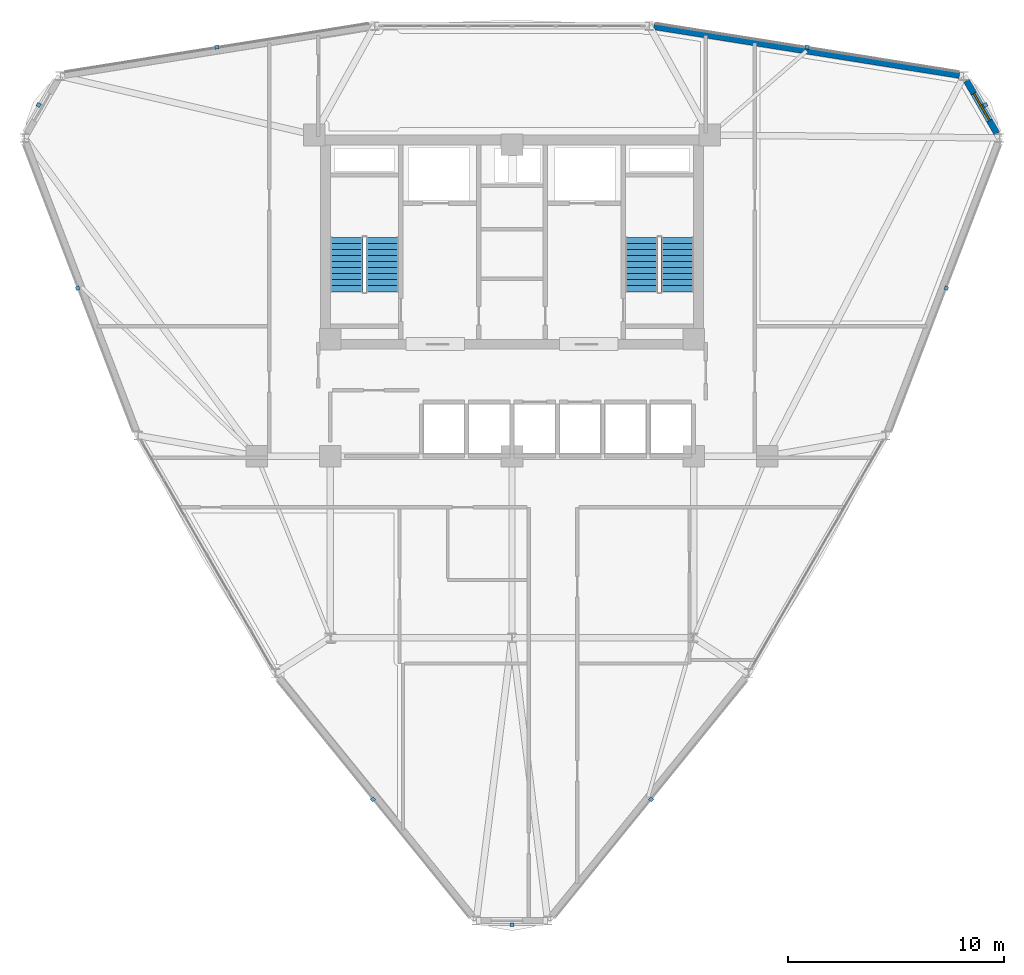
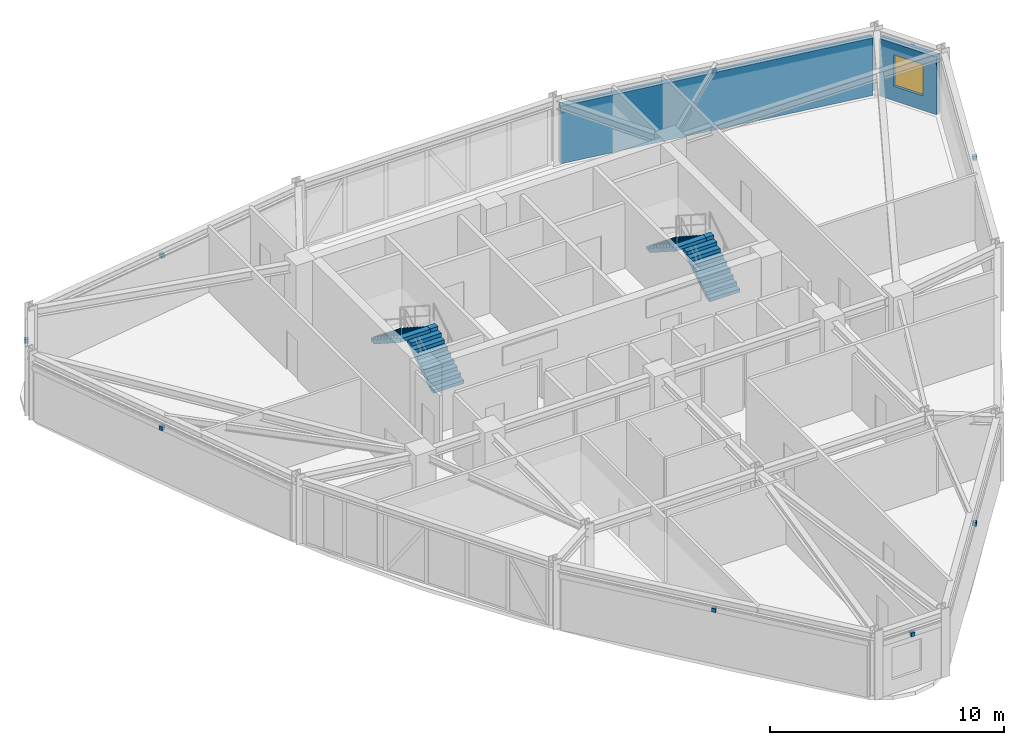
# One storey, part 12 of 14: 9 discrete accessories, 4 stair flights, 2 walls, 1 window, 1 opening, 2 elements without a shape of their own.
"""IFC4 building model written with IfcOpenShell, lengths in metres."""

from ifc_helpers import new_model, si_unit, derived_unit, direction, frame, frame_2d, origin, origin_2d, place, context, subcontext, project, spatial, polyline, rectangle, outline, extrude, source, transform, mapped, material, layer, layer_set, type_object, element, fill, aggregate, save


model = new_model("IFC4")

# Units and contexts
model_context = context("Model", 3, precision=1e-05, world=origin(), true_north=direction((0.0, 1.0)))
body_context = subcontext(model_context, "Body", "Model", "MODEL_VIEW")
ifc_project = project(units=[si_unit("LENGTHUNIT", "METRE"), si_unit("AREAUNIT", "SQUARE_METRE"), si_unit("VOLUMEUNIT", "CUBIC_METRE"), si_unit("PLANEANGLEUNIT", "RADIAN"), si_unit("MASSUNIT", "GRAM", prefix="KILO"), derived_unit("THERMALTRANSMITTANCEUNIT", [(si_unit("POWERUNIT", "WATT"), 1), (si_unit("LENGTHUNIT", "METRE"), -2), (si_unit("THERMODYNAMICTEMPERATUREUNIT", "KELVIN"), -1)])], contexts=[model_context])

# Site, building, storey
site_placement = place(None, origin())
site = spatial("IfcSite", under=ifc_project, at=site_placement, CompositionType="ELEMENT")
building_placement = place(site_placement, origin())
building = spatial("IfcBuilding", under=site, at=building_placement, Name="Korsvarv Bourse and Concert Hall", CompositionType="ELEMENT")
storey_placement = place(building_placement, frame((0.0, 0.0, 172.199951171875)))
storey = spatial("IfcBuildingStorey", under=building, at=storey_placement, Name="L44", CompositionType="ELEMENT", Elevation=172.199951171875)

# Wall, opening, window
ifc_material_1 = material(Name="Precast concrete C45/55 with terracotta rainscreen", Category="concrete")
ifc_layer_1 = layer(ifc_material_1, 0.300048828125)
ifc_layer_set_1 = layer_set([ifc_layer_1], Name="Precast concrete C45/55 with terracotta rainscreen")
wall_type_1 = type_object("IfcWallType", Name="WL-EXT-TC1", PredefinedType="SOLIDWALL", material=ifc_layer_set_1)
wall_1_placement = place(storey_placement, frame((58.430908203125, 47.327392578125, 0.0), z_axis=(0.0, 0.0, 1.0), x_axis=(-0.499978056798, 0.866038072327, 0.0)))
wall_1 = element("IfcWall", 1, at=wall_1_placement, inside=storey, type_object=wall_type_1, Name="L44 terracotta exterior wall EW-L44-B01", PredefinedType="SOLIDWALL", context=body_context, shape_type="SweptSolid", body=[
    extrude(rectangle(XDim=2.811279296875, YDim=0.300048828125, at=frame_2d((1.40576171875, 0.0))), origin(), (0.0, 0.0, 1.0), 3.010009765625),
])
opening_placement = place(wall_1_placement, frame((0.6806640625, 0.0, 0.75)))
opening = element("IfcOpeningElement", 2, at=opening_placement, cuts=wall_1, Name="Opening W-02", PredefinedType="OPENING", context=body_context, shape_type="SweptSolid", body=[
    extrude(rectangle(XDim=1.449951171875, YDim=1.64990234375, at=frame_2d((0.72509765625, 0.824951171875))), frame((0.0, 0.16015625, 0.0), z_axis=(0.0, -1.0, 0.0), x_axis=(1.0, 0.0, 0.0)), (0.0, 0.0, 1.0), 0.320068359375),
])
ifc_material_2 = material(Name="Thermally broken aluminium frame with triple low-E glass", Category="glass")
window_type = type_object("IfcWindowType", Name="WIN-TW2", PartitioningType="SINGLE_PANEL", PredefinedType="WINDOW", material=ifc_material_2)
window_placement = place(opening_placement, origin())
window = element("IfcWindow", 3, at=window_placement, inside=storey, type_object=window_type, Name="L44 punched facade window W-02", OverallHeight=1.64990234375, OverallWidth=1.449951171875, PartitioningType="SINGLE_PANEL", PredefinedType="WINDOW", context=body_context, shape_type="SweptSolid", body=[
    extrude(rectangle(XDim=1.449951171875, YDim=1.64990234375, at=frame_2d((0.72509765625, 0.824951171875))), frame((0.0, 0.030029296875, 0.0), z_axis=(0.0, -1.0, 0.0), x_axis=(1.0, 0.0, 0.0)), (0.0, 0.0, 1.0), 0.06005859375),
])
fill(opening, window)

# Wall
ifc_material_3 = material(Name="Precast concrete C45/55 with fluted terracotta pier", Category="concrete")
ifc_layer_2 = layer(ifc_material_3, 0.280029296875)
ifc_layer_set_2 = layer_set([ifc_layer_2], Name="Precast concrete C45/55 with fluted terracotta pier")
wall_type_2 = type_object("IfcWallType", Name="WL-EXT-TC2", PredefinedType="SOLIDWALL", material=ifc_layer_set_2)
wall_2_placement = place(storey_placement, frame((56.6943359375, 50.00830078125, 0.0), z_axis=(0.0, 0.0, 1.0), x_axis=(-0.987528363291, 0.157441200757, 0.0)))
element("IfcWall", 4, at=wall_2_placement, inside=storey, type_object=wall_type_2, Name="L44 terracotta exterior wall EW-L44-B02", PredefinedType="SOLIDWALL", context=body_context, shape_type="SweptSolid", body=[
    extrude(rectangle(XDim=14.31884765625, YDim=0.280029296875, at=frame_2d((7.159423828125, 0.0))), origin(), (0.0, 0.0, 1.0), 3.010009765625),
])

# Stair, stair flights
ifc_material_4 = material(Name="Precast concrete C45/55", Category="concrete")
stair_type = type_object("IfcStairType", Name="STR-TYPE-04", PredefinedType="HALF_TURN_STAIR", material=ifc_material_4)
stair_1_placement = place(storey_placement, origin())
stair_1 = element("IfcStair", 5, at=stair_1_placement, inside=storey, type_object=stair_type, Name="L44 Tower West Exit Stair ST-T1", PredefinedType="HALF_TURN_STAIR")
stair_flight_type = type_object("IfcStairFlightType", Name="FLT-TYPE-04", PredefinedType="STRAIGHT", material=ifc_material_4)
stair_flight_1_placement = place(storey_placement, frame((30.010009765625, 40.0, 0.0), z_axis=(0.0, 0.0, 1.0), x_axis=(0.0, 1.0, 0.0)))
stair_flight_1 = element("IfcStairFlight", 6, at=stair_flight_1_placement, type_object=stair_flight_type, Name="ST-T1 flight 1", NumberOfRisers=10, NumberOfTreads=9, PredefinedType="STRAIGHT", RiserHeight=0.18, TreadLength=0.28, context=body_context, shape_type="SweptSolid", body=[
    extrude(outline(polyline([(0.0, 0.0), (0.0, 0.179931640625), (0.280029296875, 0.179931640625), (0.280029296875, 0.360107421875), (0.56005859375, 0.360107421875), (0.56005859375, 0.5400390625), (0.840087890625, 0.5400390625), (0.840087890625, 0.719970703125), (1.1201171875, 0.719970703125), (1.1201171875, 0.89990234375), (1.39990234375, 0.89990234375), (1.39990234375, 1.080078125), (1.679931640625, 1.080078125), (1.679931640625, 1.260009765625), (1.9599609375, 1.260009765625), (1.9599609375, 1.43994140625), (2.239990234375, 1.43994140625), (2.239990234375, 1.6201171875), (2.52001953125, 1.6201171875), (2.52001953125, 1.800048828125), (2.52001953125, 1.44189453125), (0.277099609375, 0.0), (0.0, 0.0)])), frame((0.0, 0.75, 0.0), z_axis=(0.0, -1.0, 0.0), x_axis=(1.0, 0.0, 0.0)), (0.0, 0.0, 1.0), 1.5),
])
stair_flight_2_placement = place(storey_placement, frame((28.35009765625, 42.52001953125, 1.800048828125), z_axis=(0.0, 0.0, 1.0), x_axis=(0.0, -1.0, 0.0)))
stair_flight_2 = element("IfcStairFlight", 7, at=stair_flight_2_placement, type_object=stair_flight_type, Name="ST-T1 flight 2", NumberOfRisers=10, NumberOfTreads=9, PredefinedType="STRAIGHT", RiserHeight=0.18, TreadLength=0.28, context=body_context, shape_type="SweptSolid", body=[
    extrude(outline(polyline([(0.0, 0.0), (0.0, 0.179931640625), (0.280029296875, 0.179931640625), (0.280029296875, 0.360107421875), (0.56005859375, 0.360107421875), (0.56005859375, 0.5400390625), (0.840087890625, 0.5400390625), (0.840087890625, 0.719970703125), (1.1201171875, 0.719970703125), (1.1201171875, 0.89990234375), (1.39990234375, 0.89990234375), (1.39990234375, 1.080078125), (1.679931640625, 1.080078125), (1.679931640625, 1.260009765625), (1.9599609375, 1.260009765625), (1.9599609375, 1.43994140625), (2.239990234375, 1.43994140625), (2.239990234375, 1.6201171875), (2.52001953125, 1.6201171875), (2.52001953125, 1.800048828125), (2.52001953125, 1.44189453125), (0.277099609375, 0.0), (0.0, 0.0)])), frame((0.0, 0.75, 0.0), z_axis=(0.0, -1.0, 0.0), x_axis=(1.0, 0.0, 0.0)), (0.0, 0.0, 1.0), 1.5),
])
aggregate(stair_1, [stair_flight_1, stair_flight_2])

stair_2_placement = place(storey_placement, origin())
stair_2 = element("IfcStair", 8, at=stair_2_placement, inside=storey, type_object=stair_type, Name="L44 Tower East Exit Stair ST-T2", PredefinedType="HALF_TURN_STAIR")
stair_flight_3_placement = place(storey_placement, frame((43.64990234375, 40.0, 0.0), z_axis=(0.0, 0.0, 1.0), x_axis=(0.0, 1.0, 0.0)))
stair_flight_3 = element("IfcStairFlight", 9, at=stair_flight_3_placement, type_object=stair_flight_type, Name="ST-T2 flight 1", NumberOfRisers=10, NumberOfTreads=9, PredefinedType="STRAIGHT", RiserHeight=0.18, TreadLength=0.28, context=body_context, shape_type="SweptSolid", body=[
    extrude(outline(polyline([(0.0, 0.0), (0.0, 0.179931640625), (0.280029296875, 0.179931640625), (0.280029296875, 0.360107421875), (0.56005859375, 0.360107421875), (0.56005859375, 0.5400390625), (0.840087890625, 0.5400390625), (0.840087890625, 0.719970703125), (1.1201171875, 0.719970703125), (1.1201171875, 0.89990234375), (1.39990234375, 0.89990234375), (1.39990234375, 1.080078125), (1.679931640625, 1.080078125), (1.679931640625, 1.260009765625), (1.9599609375, 1.260009765625), (1.9599609375, 1.43994140625), (2.239990234375, 1.43994140625), (2.239990234375, 1.6201171875), (2.52001953125, 1.6201171875), (2.52001953125, 1.800048828125), (2.52001953125, 1.44189453125), (0.277099609375, 0.0), (0.0, 0.0)])), frame((0.0, 0.75, 0.0), z_axis=(0.0, -1.0, 0.0), x_axis=(1.0, 0.0, 0.0)), (0.0, 0.0, 1.0), 1.5),
])
stair_flight_4_placement = place(storey_placement, frame((41.989990234375, 42.52001953125, 1.800048828125), z_axis=(0.0, 0.0, 1.0), x_axis=(0.0, -1.0, 0.0)))
stair_flight_4 = element("IfcStairFlight", 10, at=stair_flight_4_placement, type_object=stair_flight_type, Name="ST-T2 flight 2", NumberOfRisers=10, NumberOfTreads=9, PredefinedType="STRAIGHT", RiserHeight=0.18, TreadLength=0.28, context=body_context, shape_type="SweptSolid", body=[
    extrude(outline(polyline([(0.0, 0.0), (0.0, 0.179931640625), (0.280029296875, 0.179931640625), (0.280029296875, 0.360107421875), (0.56005859375, 0.360107421875), (0.56005859375, 0.5400390625), (0.840087890625, 0.5400390625), (0.840087890625, 0.719970703125), (1.1201171875, 0.719970703125), (1.1201171875, 0.89990234375), (1.39990234375, 0.89990234375), (1.39990234375, 1.080078125), (1.679931640625, 1.080078125), (1.679931640625, 1.260009765625), (1.9599609375, 1.260009765625), (1.9599609375, 1.43994140625), (2.239990234375, 1.43994140625), (2.239990234375, 1.6201171875), (2.52001953125, 1.6201171875), (2.52001953125, 1.800048828125), (2.52001953125, 1.44189453125), (0.277099609375, 0.0), (0.0, 0.0)])), frame((0.0, 0.75, 0.0), z_axis=(0.0, -1.0, 0.0), x_axis=(1.0, 0.0, 0.0)), (0.0, 0.0, 1.0), 1.5),
])
aggregate(stair_2, [stair_flight_3, stair_flight_4])

# Discrete accessories
ifc_material_5 = material(Name="Stainless Steel S355 facade outrigger bracket", Category="steel")
discrete_accessory_type = type_object("IfcDiscreteAccessoryType", Name="ACC-BRK-1", PredefinedType="BRACKET", material=ifc_material_5)
shared_shape = source(origin(), body_context, "Body", "SweptSolid", [
    extrude(rectangle(XDim=0.179931640625, YDim=0.179931640625, at=origin_2d()), origin(), (0.0, 0.0, 1.0), 0.199951171875),
])
for number, where, z_axis, x_axis, name in (
    (11, (57.892578125, 48.6396484375, 2.75), (0.0, 0.0, 1.0), (-0.5, 0.866025403784, 0.0), "L44 terracotta sunshade bracket EW-L44-B01"),
    (12, (49.652587890625, 51.313232421875, 2.75), (0.0, 0.0, 1.0), (-0.987523981276, 0.157468683888, 0.0), "L44 terracotta sunshade bracket EW-L44-B02"),
    (13, (22.347412109375, 51.313232421875, 2.68994140625), (0.0, 0.0, 1.0), (-0.987523981276, -0.157468683888, 0.0), "L44 terracotta sunshade bracket EW-L44-B04"),
    (14, (14.107421875, 48.6396484375, 2.75), (0.0, 0.0, 1.0), (-0.5, -0.866025403784, 0.0), "L44 terracotta sunshade bracket EW-L44-B05"),
    (15, (15.912109375, 40.166748046875, 2.68994140625), (0.0, 0.0, 1.0), (0.35739011009, -0.933955196575, 0.0), "L44 terracotta sunshade bracket EW-L44-B06"),
    (16, (29.564697265625, 16.52001953125, 2.75), (0.0, 0.0, 1.0), (0.630133871185, -0.776486512687, 0.0), "L44 terracotta sunshade bracket EW-L44-B08"),
    (17, (36.0, 10.720703125, 2.75), (0.0, 0.0, 1.0), (1.0, 0.0, 0.0), "L44 terracotta sunshade bracket EW-L44-B09"),
    (18, (42.435302734375, 16.52001953125, 2.75), (0.0, 0.0, 1.0), (0.630133871185, 0.776486512687, 0.0), "L44 terracotta sunshade bracket EW-L44-B10"),
    (19, (56.087890625, 40.166748046875, 2.75), (0.0, 0.0, 1.0), (0.35739011009, 0.933955196575, 0.0), "L44 terracotta sunshade bracket EW-L44-B12"),
):
    element("IfcDiscreteAccessory", number, at=place(storey_placement, frame(where, z_axis=z_axis, x_axis=x_axis)), inside=storey, type_object=discrete_accessory_type, Name=name, PredefinedType="BRACKET", context=body_context, shape_type="MappedRepresentation", body=[
        mapped(shared_shape, transform((0.0, 0.0, 0.0), scale=1.0)),
    ])

save(model, "model.ifc")
